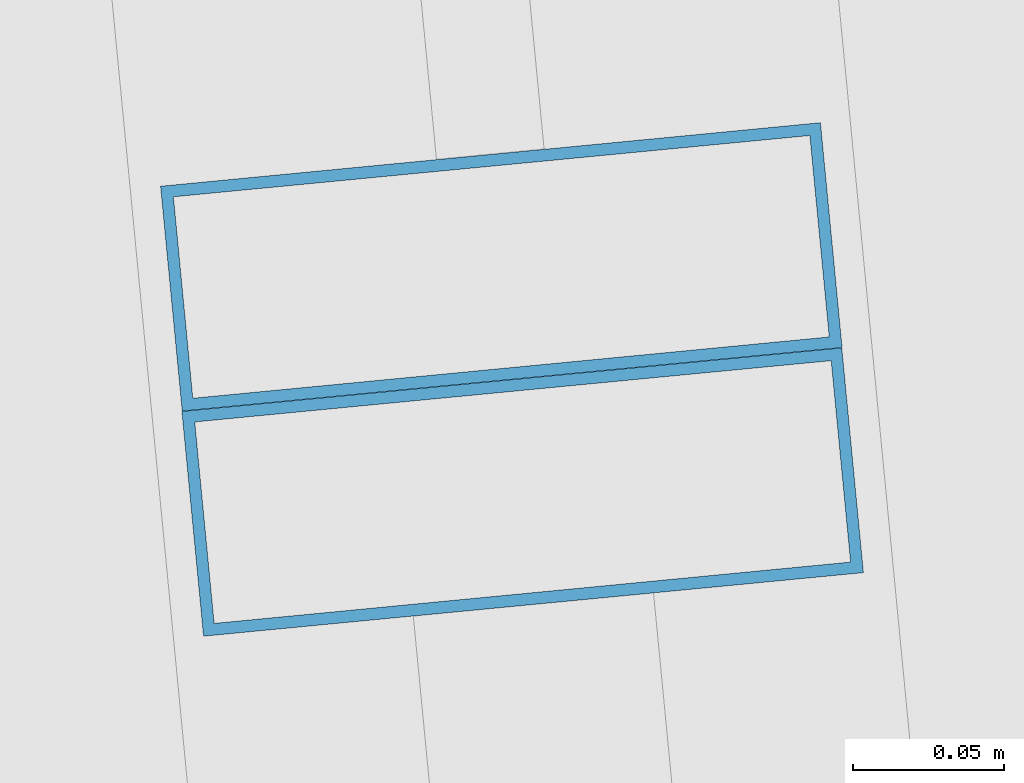
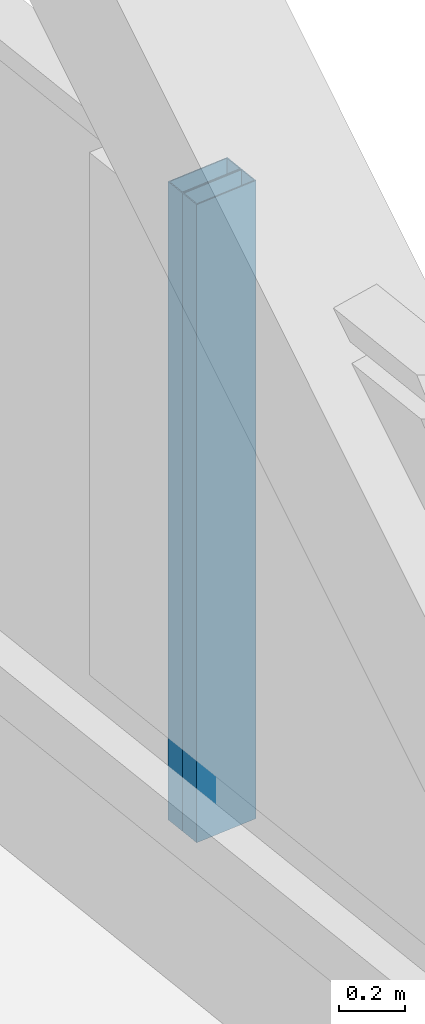
# One storey, part 22 of 42: 2 members, 2 elements without a shape of their own.
"""IFC4 building model written with IfcOpenShell, lengths in metres."""

from ifc_helpers import new_model, si_unit, direction, frame, origin, origin_2d, place, context, subcontext, project, spatial, hollow_rectangle, extrude, material, layer, layer_set, material_profile, profile_set, type_object, element, aggregate, save


model = new_model("IFC4")

# Units and contexts
model_context = context("Model", 3, precision=1e-05, world=origin(), true_north=direction((0.0, 1.0)))
body_context = subcontext(model_context, "Body", "Model", "MODEL_VIEW")
ifc_project = project(units=[si_unit("LENGTHUNIT", "METRE"), si_unit("AREAUNIT", "SQUARE_METRE"), si_unit("VOLUMEUNIT", "CUBIC_METRE"), si_unit("PLANEANGLEUNIT", "RADIAN"), si_unit("MASSUNIT", "GRAM", prefix="KILO")], contexts=[model_context])

# Site, building, storey
site_placement = place(None, origin())
site = spatial("IfcSite", under=ifc_project, at=site_placement, CompositionType="ELEMENT")
building_placement = place(site_placement, origin())
building = spatial("IfcBuilding", under=site, at=building_placement, Name="Qhalaya Broadcast Tower", CompositionType="ELEMENT")
storey_placement = place(building_placement, frame((0.0, 0.0, 69.449951171875)))
storey = spatial("IfcBuildingStorey", under=building, at=storey_placement, Name="L19", CompositionType="ELEMENT", Elevation=69.449951171875)

# Curtain wall, member
ifc_material_1 = material(Name="Fired Architectural Terracotta", Category="masonry")
ifc_layer_1 = layer(ifc_material_1, 0.219970703125, Name="Fired Architectural Terracotta")
ifc_layer_set_1 = layer_set([ifc_layer_1], Name="Fired Architectural Terracotta")
curtain_wall_type_1 = type_object("IfcCurtainWallType", Name="Block-Cap Unitised Terracotta Spandrel Wall CW-07", PredefinedType="NOTDEFINED", material=ifc_layer_set_1)
curtain_wall_1_placement = place(storey_placement, origin())
curtain_wall_1 = element("IfcCurtainWall", 1, at=curtain_wall_1_placement, inside=storey, type_object=curtain_wall_type_1, Name="L19 Unitised Curtain Wall L19-CW-E4", PredefinedType="NOTDEFINED")
ifc_material_2 = material(Name="Anodised Aluminium 6063-T6", Category="aluminium")
ifc_material_profile = material_profile(ifc_material_2, hollow_rectangle(XDim=0.074951171875, YDim=0.219970703125, WallThickness=0.00390625, at=origin_2d()), Name="ALU-MUL 75x220x4")
ifc_profile_set = profile_set([ifc_material_profile], Name="Anodised Aluminium 6063-T6")
member_type = type_object("IfcMemberType", Name="Unitised Curtain-Wall Mullion M01", PredefinedType="MULLION", material=ifc_profile_set)
member_1_placement = place(storey_placement, frame((27.591552734375, 9.16455078125, 0.47998046875), z_axis=(0.0, 0.0, 1.0), x_axis=(-0.095857417835, 0.995395075056, 0.0)))
member_1 = element("IfcMember", 2, at=member_1_placement, type_object=member_type, Name="CW-07 mullion 2", PredefinedType="MULLION", context=body_context, shape_type="SweptSolid", body=[
    extrude(hollow_rectangle(XDim=0.074951171875, YDim=0.219970703125, WallThickness=0.00390625, at=origin_2d()), origin(), (0.0, 0.0, 1.0), 2.35009765625),
])
aggregate(curtain_wall_1, [member_1])

ifc_material_3 = material(Name="Solar-Control Low-E Triple Glazing", Category="glass")
ifc_layer_2 = layer(ifc_material_3, 0.219970703125, Name="Solar-Control Low-E Triple Glazing")
ifc_layer_set_2 = layer_set([ifc_layer_2], Name="Solar-Control Low-E Triple Glazing")
curtain_wall_type_2 = type_object("IfcCurtainWallType", Name="Even-Block 4-Storey Double-Module Curtain Wall CW-03", PredefinedType="NOTDEFINED", material=ifc_layer_set_2)
curtain_wall_2_placement = place(storey_placement, origin())
curtain_wall_2 = element("IfcCurtainWall", 3, at=curtain_wall_2_placement, inside=storey, type_object=curtain_wall_type_2, Name="L19 Unitised Curtain Wall L19-CW-E5", PredefinedType="NOTDEFINED")
member_2_placement = place(storey_placement, frame((27.58447265625, 9.2392578125, 0.47998046875), z_axis=(0.0, 0.0, 1.0), x_axis=(-0.095835542837, 0.995397181395, 0.0)))
member_2 = element("IfcMember", 4, at=member_2_placement, type_object=member_type, Name="CW-03 mullion 1", PredefinedType="MULLION", context=body_context, shape_type="SweptSolid", body=[
    extrude(hollow_rectangle(XDim=0.074951171875, YDim=0.219970703125, WallThickness=0.00390625, at=origin_2d()), origin(), (0.0, 0.0, 1.0), 2.35009765625),
])
aggregate(curtain_wall_2, [member_2])

save(model, "model.ifc")
